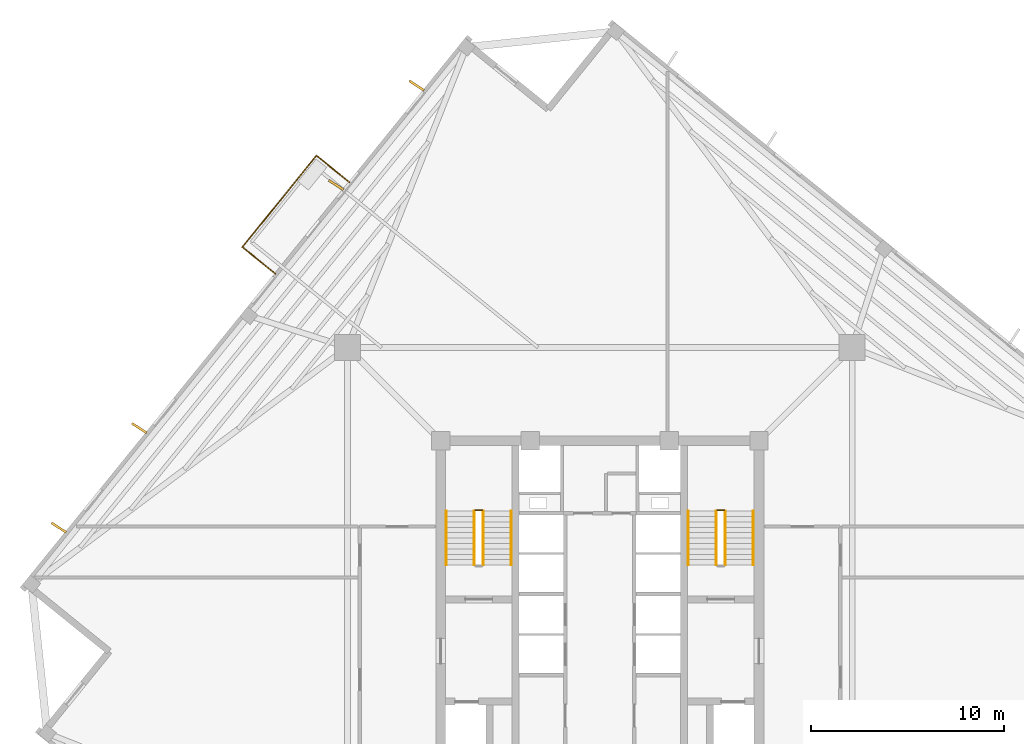
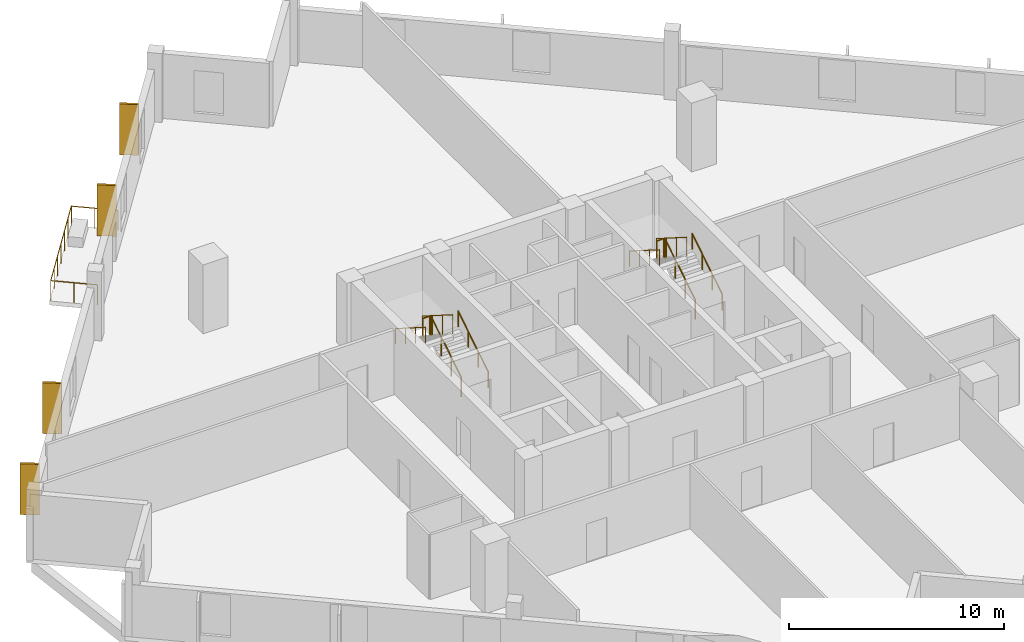
# One storey, part 8 of 9: 13 railings, 4 coverings.
"""IFC4 building model written with IfcOpenShell, lengths in metres."""

from ifc_helpers import new_model, si_unit, direction, frame, origin, origin_2d, place, context, subcontext, project, spatial, rectangle, circle, extrude, source, transform, mapped, material, layer, layer_set, type_object, element, save


model = new_model("IFC4")

# Units and contexts
model_context = context("Model", 3, precision=1e-05, world=origin(), true_north=direction((0.0, 1.0)))
body_context = subcontext(model_context, "Body", "Model", "MODEL_VIEW")
ifc_project = project(units=[si_unit("LENGTHUNIT", "METRE"), si_unit("AREAUNIT", "SQUARE_METRE"), si_unit("VOLUMEUNIT", "CUBIC_METRE"), si_unit("PLANEANGLEUNIT", "RADIAN"), si_unit("MASSUNIT", "GRAM", prefix="KILO"), si_unit("THERMODYNAMICTEMPERATUREUNIT", "KELVIN")], contexts=[model_context])

# Site, building, storey
site_placement = place(None, origin())
site = spatial("IfcSite", under=ifc_project, at=site_placement, CompositionType="ELEMENT")
building_placement = place(site_placement, origin())
building = spatial("IfcBuilding", under=site, at=building_placement, Name="Kosmvard Interchange Tower", CompositionType="ELEMENT")
storey_placement = place(building_placement, frame((0.0, 0.0, 225.10009765625)))
storey = spatial("IfcBuildingStorey", under=building, at=storey_placement, Name="L54", CompositionType="ELEMENT", Elevation=225.10009765625)

# Railings
ifc_material_1 = material(Name="Steel S355", Category="steel")
railing_type_1 = type_object("IfcRailingType", Name="Observation & Balcony Glass-Infill Balustrade 1150", PredefinedType="BALUSTRADE", material=ifc_material_1)
shared_shape_1 = source(origin(), body_context, "Body", "SweptSolid", [
    extrude(circle(Radius=0.02392578125, at=origin_2d()), frame((0.0, 0.0, 1.1259765625), z_axis=(0.777195763313, -0.629258885904, 0.0), x_axis=(0.629258885904, 0.777195763313, 0.0)), (0.0, 0.0, 1.0), 2.199951171875),
    extrude(circle(Radius=0.02099609375, at=origin_2d()), origin(), (0.0, 0.0, 1.0), 1.101806640625),
    extrude(circle(Radius=0.02099609375, at=origin_2d()), frame((0.85498046875, -0.692138671875, 0.0)), (0.0, 0.0, 1.0), 1.101806640625),
    extrude(circle(Radius=0.02099609375, at=origin_2d()), frame((1.709716796875, -1.38427734375, 0.0)), (0.0, 0.0, 1.0), 1.101806640625),
])
railing_1_placement = place(storey_placement, frame((-18.523193359375, 18.281005859375, 0.0)))
element("IfcRailing", 1, at=railing_1_placement, inside=storey, type_object=railing_type_1, Name="L54 Outdoor Terrace Guard BAL-L54-N-C", PredefinedType="BALUSTRADE", context=body_context, shape_type="MappedRepresentation", body=[
    mapped(shared_shape_1, transform((0.0, 0.0, 0.0), scale=1.0)),
])
shared_shape_2 = source(origin(), body_context, "Body", "SweptSolid", [
    extrude(circle(Radius=0.02392578125, at=origin_2d()), frame((0.0, 0.0, 1.1259765625), z_axis=(-0.777141488432, 0.629325914736, 0.0), x_axis=(-0.629325914736, -0.777141488432, 0.0)), (0.0, 0.0, 1.0), 2.199951171875),
    extrude(circle(Radius=0.02099609375, at=origin_2d()), origin(), (0.0, 0.0, 1.0), 1.101806640625),
    extrude(circle(Radius=0.02099609375, at=origin_2d()), frame((-0.85498046875, 0.6923828125, 0.0)), (0.0, 0.0, 1.0), 1.101806640625),
    extrude(circle(Radius=0.02099609375, at=origin_2d()), frame((-1.709716796875, 1.384521484375, 0.0)), (0.0, 0.0, 1.0), 1.101806640625),
])
railing_2_placement = place(storey_placement, frame((-12.974853515625, 21.63720703125, 0.0)))
element("IfcRailing", 2, at=railing_2_placement, inside=storey, type_object=railing_type_1, Name="L54 Outdoor Terrace Guard BAL-L54-N-A", PredefinedType="BALUSTRADE", context=body_context, shape_type="MappedRepresentation", body=[
    mapped(shared_shape_2, transform((0.0, 0.0, 0.0), scale=1.0)),
])

# Coverings
ifc_material_2 = material(Name="Architectural anodised aluminium", Category="aluminium")
ifc_layer = layer(ifc_material_2, 0.1201171875, Name="Architectural anodised aluminium")
ifc_layer_set = layer_set([ifc_layer], Name="Architectural anodised aluminium")
covering_type = type_object("IfcCoveringType", Name="Rotating Vertical Sun-Breaker Fin 900x120 Aluminium", PredefinedType="CLADDING", material=ifc_layer_set)
shared_shape_3 = source(origin(), body_context, "Body", "SweptSolid", [
    extrude(rectangle(XDim=0.89990234375, YDim=0.1201171875, at=origin_2d()), origin(), (0.0, 0.0, 1.0), 2.8798828125),
])
for number, where, z_axis, x_axis, name in (
    (3, (-9.494384765625, 26.650146484375, 0.0400390625), (0.0, 0.0, 1.0), (-0.839430209734, 0.543467499475, 0.0), "L54 Rotating Vertical Sun-Breaker Fin 09"),
    (4, (-13.66748046875, 21.49658203125, 0.0400390625), (0.0, 0.0, 1.0), (-0.839430209734, 0.543467499475, 0.0), "L54 Rotating Vertical Sun-Breaker Fin 10"),
    (5, (-23.86865234375, 8.8994140625, 0.0400390625), (0.0, 0.0, 1.0), (-0.839430209734, 0.543467499475, 0.0), "L54 Rotating Vertical Sun-Breaker Fin 11"),
    (6, (-28.041748046875, 3.74609375, 0.0400390625), (0.0, 0.0, 1.0), (-0.839430209734, 0.543467499475, 0.0), "L54 Rotating Vertical Sun-Breaker Fin 12"),
):
    element("IfcCovering", number, at=place(storey_placement, frame(where, z_axis=z_axis, x_axis=x_axis)), inside=storey, type_object=covering_type, Name=name, PredefinedType="CLADDING", context=body_context, shape_type="MappedRepresentation", body=[
        mapped(shared_shape_3, transform((0.0, 0.0, 0.0), scale=1.0)),
    ])

# Railings
shared_shape_4 = source(origin(), body_context, "Body", "SweptSolid", [
    extrude(circle(Radius=0.02392578125, at=origin_2d()), frame((0.0, 0.0, 1.1259765625), z_axis=(-0.629286879001, -0.777173097783, 0.0), x_axis=(0.777173097783, -0.629286879001, 0.0)), (0.0, 0.0, 1.0), 6.099853515625),
    extrude(circle(Radius=0.02099609375, at=origin_2d()), origin(), (0.0, 0.0, 1.0), 1.101806640625),
    extrude(circle(Radius=0.02099609375, at=origin_2d()), frame((-0.6396484375, -0.7900390625, 0.0)), (0.0, 0.0, 1.0), 1.101806640625),
    extrude(circle(Radius=0.02099609375, at=origin_2d()), frame((-1.279541015625, -1.580322265625, 0.0)), (0.0, 0.0, 1.0), 1.101806640625),
    extrude(circle(Radius=0.02099609375, at=origin_2d()), frame((-1.91943359375, -2.370361328125, 0.0)), (0.0, 0.0, 1.0), 1.101806640625),
    extrude(circle(Radius=0.02099609375, at=origin_2d()), frame((-2.55908203125, -3.160400390625, 0.0)), (0.0, 0.0, 1.0), 1.101806640625),
    extrude(circle(Radius=0.02099609375, at=origin_2d()), frame((-3.19873046875, -3.95068359375, 0.0)), (0.0, 0.0, 1.0), 1.101806640625),
    extrude(circle(Radius=0.02099609375, at=origin_2d()), frame((-3.838623046875, -4.74072265625, 0.0)), (0.0, 0.0, 1.0), 1.101806640625),
])
railing_3_placement = place(storey_placement, frame((-14.6845703125, 23.021728515625, 0.0)))
element("IfcRailing", 7, at=railing_3_placement, inside=storey, type_object=railing_type_1, Name="L54 Outdoor Terrace Guard BAL-L54-N-B", PredefinedType="BALUSTRADE", context=body_context, shape_type="MappedRepresentation", body=[
    mapped(shared_shape_4, transform((0.0, 0.0, 0.0), scale=1.0)),
])
railing_type_2 = type_object("IfcRailingType", Name="Stair & Terrace Safety Guardrail 1100 Steel", PredefinedType="GUARDRAIL", material=ifc_material_1)
shared_shape_5 = source(origin(), body_context, "Body", "SweptSolid", [
    extrude(circle(Radius=0.02392578125, at=origin_2d()), frame((0.0, 0.0, 1.076171875), z_axis=(-1.0, 0.0, 0.0), x_axis=(0.0, -1.0, 0.0)), (0.0, 0.0, 1.0), 0.35986328125),
    extrude(circle(Radius=0.02099609375, at=origin_2d()), origin(), (0.0, 0.0, 1.0), 1.052001953125),
    extrude(circle(Radius=0.02099609375, at=origin_2d()), frame((-0.35986328125, 0.0, 0.0)), (0.0, 0.0, 1.0), 1.052001953125),
])
for number, where, name in (
    (8, (-6.090087890625, 4.64990234375, 1.949951171875), "L54 ST-1 stair guard 2"),
    (9, (6.449951171875, 4.64990234375, 1.949951171875), "L54 ST-2 stair guard 2"),
):
    element("IfcRailing", number, at=place(storey_placement, frame(where)), inside=storey, type_object=railing_type_2, Name=name, PredefinedType="GUARDRAIL", context=body_context, shape_type="MappedRepresentation", body=[
        mapped(shared_shape_5, transform((0.0, 0.0, 0.0), scale=1.0)),
    ])
shared_shape_6 = source(origin(), body_context, "Body", "SweptSolid", [
    extrude(circle(Radius=0.02392578125, at=origin_2d()), frame((0.0, 0.0, 1.076171875), z_axis=(0.0, 0.844908973607, 0.534910110503), x_axis=(-1.0, 0.0, 0.0)), (0.0, 0.0, 1.0), 3.31396484375),
    extrude(circle(Radius=0.02099609375, at=origin_2d()), origin(), (0.0, 0.0, 1.0), 1.052001953125),
    extrude(circle(Radius=0.02099609375, at=origin_2d()), frame((0.0, 0.933349609375, 0.5908203125)), (0.0, 0.0, 1.0), 1.052001953125),
    extrude(circle(Radius=0.02099609375, at=origin_2d()), frame((0.0, 1.86669921875, 1.181884765625)), (0.0, 0.0, 1.0), 1.052001953125),
    extrude(circle(Radius=0.02099609375, at=origin_2d()), frame((0.0, 2.800048828125, 1.772705078125)), (0.0, 0.0, 1.0), 1.052001953125),
])
for number, where, name in (
    (10, (-6.0400390625, 1.800048828125, 0.17724609375), "L54 ST-1 stair guard 1"),
    (11, (6.5, 1.800048828125, 0.17724609375), "L54 ST-2 stair guard 1"),
):
    element("IfcRailing", number, at=place(storey_placement, frame(where)), inside=storey, type_object=railing_type_2, Name=name, PredefinedType="GUARDRAIL", context=body_context, shape_type="MappedRepresentation", body=[
        mapped(shared_shape_6, transform((0.0, 0.0, 0.0), scale=1.0)),
    ])
shared_shape_7 = source(origin(), body_context, "Body", "SweptSolid", [
    extrude(circle(Radius=0.02392578125, at=origin_2d()), frame((0.0, 0.0, 1.076171875), z_axis=(0.0, -0.844908973607, 0.534910110503), x_axis=(1.0, 0.0, 0.0)), (0.0, 0.0, 1.0), 3.31396484375),
    extrude(circle(Radius=0.02099609375, at=origin_2d()), origin(), (0.0, 0.0, 1.0), 1.052001953125),
    extrude(circle(Radius=0.02099609375, at=origin_2d()), frame((0.0, -0.933349609375, 0.5908203125)), (0.0, 0.0, 1.0), 1.052001953125),
    extrude(circle(Radius=0.02099609375, at=origin_2d()), frame((0.0, -1.86669921875, 1.181884765625)), (0.0, 0.0, 1.0), 1.052001953125),
    extrude(circle(Radius=0.02099609375, at=origin_2d()), frame((0.0, -2.800048828125, 1.772705078125)), (0.0, 0.0, 1.0), 1.052001953125),
])
for number, where, name in (
    (12, (-6.5, 4.60009765625, 2.127197265625), "L54 ST-1 stair guard 3"),
    (13, (6.0400390625, 4.60009765625, 2.127197265625), "L54 ST-2 stair guard 3"),
):
    element("IfcRailing", number, at=place(storey_placement, frame(where)), inside=storey, type_object=railing_type_2, Name=name, PredefinedType="GUARDRAIL", context=body_context, shape_type="MappedRepresentation", body=[
        mapped(shared_shape_7, transform((0.0, 0.0, 0.0), scale=1.0)),
    ])
railing_type_3 = type_object("IfcRailingType", Name="Wall-Mounted Stair Handrail 900 Steel", PredefinedType="HANDRAIL", material=ifc_material_1)
shared_shape_8 = source(origin(), body_context, "Body", "SweptSolid", [
    extrude(circle(Radius=0.02392578125, at=origin_2d()), frame((0.0, 0.0, 0.8759765625), z_axis=(0.0, 0.844908973607, 0.534910110503), x_axis=(-1.0, 0.0, 0.0)), (0.0, 0.0, 1.0), 3.31396484375),
    extrude(circle(Radius=0.02099609375, at=origin_2d()), origin(), (0.0, 0.0, 1.0), 0.851806640625),
    extrude(circle(Radius=0.02099609375, at=origin_2d()), frame((0.0, 0.933349609375, 0.5908203125)), (0.0, 0.0, 1.0), 0.851806640625),
    extrude(circle(Radius=0.02099609375, at=origin_2d()), frame((0.0, 1.86669921875, 1.181884765625)), (0.0, 0.0, 1.0), 0.851806640625),
    extrude(circle(Radius=0.02099609375, at=origin_2d()), frame((0.0, 2.800048828125, 1.772705078125)), (0.0, 0.0, 1.0), 0.851806640625),
])
for number, where, name in (
    (14, (-4.590087890625, 1.800048828125, 0.17724609375), "L54 ST-1 stair handrail 1"),
    (15, (7.949951171875, 1.800048828125, 0.17724609375), "L54 ST-2 stair handrail 1"),
):
    element("IfcRailing", number, at=place(storey_placement, frame(where)), inside=storey, type_object=railing_type_3, Name=name, PredefinedType="HANDRAIL", context=body_context, shape_type="MappedRepresentation", body=[
        mapped(shared_shape_8, transform((0.0, 0.0, 0.0), scale=1.0)),
    ])
shared_shape_9 = source(origin(), body_context, "Body", "SweptSolid", [
    extrude(circle(Radius=0.02392578125, at=origin_2d()), frame((0.0, 0.0, 0.8759765625), z_axis=(0.0, -0.844908973607, 0.534910110503), x_axis=(1.0, 0.0, 0.0)), (0.0, 0.0, 1.0), 3.31396484375),
    extrude(circle(Radius=0.02099609375, at=origin_2d()), origin(), (0.0, 0.0, 1.0), 0.851806640625),
    extrude(circle(Radius=0.02099609375, at=origin_2d()), frame((0.0, -0.933349609375, 0.5908203125)), (0.0, 0.0, 1.0), 0.851806640625),
    extrude(circle(Radius=0.02099609375, at=origin_2d()), frame((0.0, -1.86669921875, 1.181884765625)), (0.0, 0.0, 1.0), 0.851806640625),
    extrude(circle(Radius=0.02099609375, at=origin_2d()), frame((0.0, -2.800048828125, 1.772705078125)), (0.0, 0.0, 1.0), 0.851806640625),
])
for number, where, name in (
    (16, (-7.949951171875, 4.60009765625, 2.127197265625), "L54 ST-1 stair handrail 2"),
    (17, (4.590087890625, 4.60009765625, 2.127197265625), "L54 ST-2 stair handrail 2"),
):
    element("IfcRailing", number, at=place(storey_placement, frame(where)), inside=storey, type_object=railing_type_3, Name=name, PredefinedType="HANDRAIL", context=body_context, shape_type="MappedRepresentation", body=[
        mapped(shared_shape_9, transform((0.0, 0.0, 0.0), scale=1.0)),
    ])

save(model, "model.ifc")
